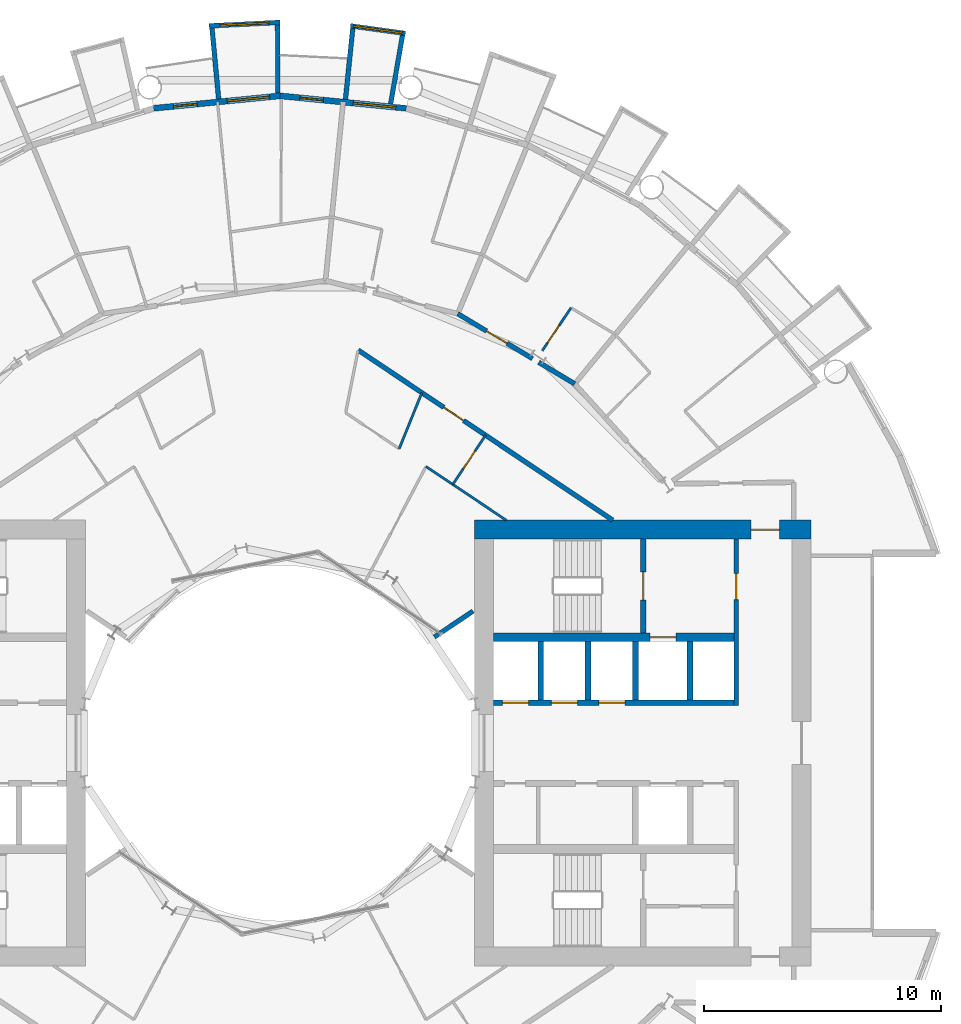
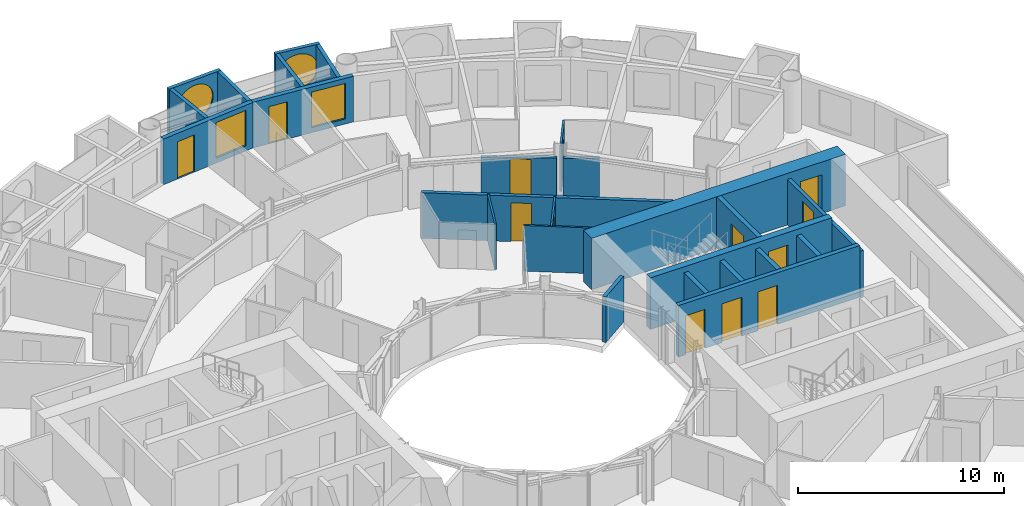
# One storey, part 20 of 26: 25 walls, 13 doors, 4 windows, 17 openings.
"""IFC4 building model written with IfcOpenShell, lengths in metres."""

import ifcopenshell
import ifcopenshell.guid

model = None  # the IFC model being written
_history = None  # IfcOwnerHistory: only IFC2X3 demands one
_inside = {}  # id of a spatial element -> (the spatial element, [elements in it])
_under = {}  # id of a project, library or spatial element -> (it, [spatial elements below it])
_declared = {}  # id of a project -> (the project, [libraries it declares])
_typed = {}  # id of a type object -> (the type object, [elements of that type])
_made_of = {}  # id of a material, layer set ... -> (it, [elements and type objects made of it])


def new_model(schema):
    """Start an empty IFC model of exactly this schema.

    Asked for "IFC4X3", IfcOpenShell would pick the latest addendum, in which some entities
    have other attributes; the version numbers below select the first issue.
    IFC2X3 requires an IfcOwnerHistory on every rooted entity: one is made here for all.
    """
    global model, _history
    if schema == "IFC4X3":
        model = ifcopenshell.file(schema_version=(4, 3, 0, 0))
    else:
        model = ifcopenshell.file(schema=schema)
    _inside.clear()
    _under.clear()
    _declared.clear()
    _typed.clear()
    _made_of.clear()
    _history = None
    if model.schema == "IFC2X3":
        org = make("IfcOrganization", Name="unknown")
        user = make(
            "IfcPersonAndOrganization",
            ThePerson=make("IfcPerson", FamilyName="unknown"),
            TheOrganization=org,
        )
        app = make(
            "IfcApplication",
            ApplicationDeveloper=org,
            Version="unknown",
            ApplicationFullName="unknown",
            ApplicationIdentifier="unknown",
        )
        _history = make(
            "IfcOwnerHistory",
            OwningUser=user,
            OwningApplication=app,
            ChangeAction="ADDED",
            CreationDate=0,
        )
    return model


def make(cls, **values):
    """One entity of the class cls with the attributes given. An attribute that is None is left unset."""
    return model.create_entity(
        cls, **{name: value for name, value in values.items() if value is not None}
    )


def rooted(cls, **values):
    """An entity with a GlobalId (a new one), such as an element, a storey or a relation."""
    return make(cls, GlobalId=ifcopenshell.guid.new(), OwnerHistory=_history, **values)


def si_unit(unit_type, name, prefix=None):
    """IfcSIUnit, for example si_unit("LENGTHUNIT", "METRE", prefix="MILLI")."""
    return make("IfcSIUnit", UnitType=unit_type, Prefix=prefix, Name=name)


def assignment(units):
    """IfcUnitAssignment: the units of a project."""
    return None if units is None else make("IfcUnitAssignment", Units=units)


def point(xyz):
    """IfcCartesianPoint."""
    return None if xyz is None else make("IfcCartesianPoint", Coordinates=xyz)


def direction(xyz):
    """IfcDirection."""
    return None if xyz is None else make("IfcDirection", DirectionRatios=xyz)


def frame(location, z_axis=None, x_axis=None):
    """IfcAxis2Placement3D, a coordinate frame: its origin and axes. An axis left out is left unset."""
    return make(
        "IfcAxis2Placement3D",
        Location=point(location),
        Axis=direction(z_axis),
        RefDirection=direction(x_axis),
    )


def frame_2d(location, x_axis=None):
    """IfcAxis2Placement2D, a coordinate frame in the plane: its origin and x axis."""
    return make(
        "IfcAxis2Placement2D", Location=point(location), RefDirection=direction(x_axis)
    )


def origin():
    """The frame at (0, 0, 0) with its axes left unset."""
    return frame((0.0, 0.0, 0.0))


def place(relative_to, where):
    """IfcLocalPlacement: puts the frame where relative to a parent placement (None: the world)."""
    return make(
        "IfcLocalPlacement", PlacementRelTo=relative_to, RelativePlacement=where
    )


def context(
    kind, dimensions, precision=None, world=None, true_north=None, identifier=None
):
    """IfcGeometricRepresentationContext, for example the 3D "Model" context."""
    return make(
        "IfcGeometricRepresentationContext",
        ContextIdentifier=identifier,
        ContextType=kind,
        CoordinateSpaceDimension=dimensions,
        Precision=precision,
        WorldCoordinateSystem=world,
        TrueNorth=true_north,
    )


def subcontext(parent, identifier, kind, view, scale=None):
    """IfcGeometricRepresentationSubContext, for example "Body" below "Model"."""
    return make(
        "IfcGeometricRepresentationSubContext",
        ContextIdentifier=identifier,
        ContextType=kind,
        ParentContext=parent,
        TargetScale=scale,
        TargetView=view,
    )


def project(units=None, contexts=None):
    """IfcProject with its units and contexts."""
    return rooted(
        "IfcProject",
        Name="project",
        RepresentationContexts=contexts,
        UnitsInContext=assignment(units),
    )


def spatial(cls, under=None, at=None, **own):
    """A site, building, storey or space (cls), placed at a placement, below another one or the project."""
    s = rooted(cls, ObjectPlacement=at, **own)
    if under is not None:
        _under.setdefault(under.id(), (under, []))[1].append(s)
    return s


def profile(cls, at=None, kind="AREA", **sizes):
    """A parametric profile (cls). Its sizes go by their IFC names, for example OverallWidth=200.0."""
    return make(cls, ProfileType=kind, Position=at, **sizes)


def rectangle(**sizes):
    """IfcRectangleProfileDef."""
    return profile("IfcRectangleProfileDef", **sizes)


def circle(**sizes):
    """IfcCircleProfileDef."""
    return profile("IfcCircleProfileDef", **sizes)


def extrude(swept, where, along, depth):
    """IfcExtrudedAreaSolid: the profile swept, set in the frame where, extruded along a direction by depth."""
    return make(
        "IfcExtrudedAreaSolid",
        SweptArea=swept,
        Position=where,
        ExtrudedDirection=direction(along),
        Depth=depth,
    )


def shape(context_of_items, identifier, shape_type, items):
    """IfcShapeRepresentation: the items that make up one representation, for example the "Body"."""
    return make(
        "IfcShapeRepresentation",
        ContextOfItems=context_of_items,
        RepresentationIdentifier=identifier,
        RepresentationType=shape_type,
        Items=items,
    )


def material(Name=None, Category=None):
    """IfcMaterial."""
    return make("IfcMaterial", Name=Name, Category=Category)


def layer(
    of_material, thickness, ventilated=None, Name=None, Category=None, Priority=None
):
    """IfcMaterialLayer: one layer of a wall or slab, of a material (None: an air gap)."""
    return make(
        "IfcMaterialLayer",
        Material=of_material,
        LayerThickness=thickness,
        IsVentilated=ventilated,
        Name=Name,
        Category=Category,
        Priority=Priority,
    )


def layer_set(layers, Name=None):
    """IfcMaterialLayerSet."""
    return make("IfcMaterialLayerSet", MaterialLayers=layers, LayerSetName=Name)


def made_of(thing, what):
    """Note that an element or type object is made of a material, layer set ...; save() writes the relation."""
    if what is not None:
        _made_of.setdefault(what.id(), (what, []))[1].append(thing)
    return thing


def type_object(cls, material=None, **own):
    """A type object (cls), such as IfcWallType, which elements share."""
    return made_of(rooted(cls, **own), material)


def element(
    cls,
    number,
    at=None,
    inside=None,
    cuts=None,
    type_object=None,
    material=None,
    context=None,
    identifier="Body",
    shape_type=None,
    held_by="IfcProductDefinitionShape",
    body=None,
    shapes=None,
    **own,
):
    """One element of the class cls, such as IfcWall. Its Tag is "e" and its number.

    at: its placement. inside: the storey or other place that contains it. cuts: it is an
    opening in that element (IfcRelVoidsElement). A single representation is given by context,
    identifier, shape_type and body (its items); several are given by shapes. held_by: the class
    of the entity that holds the representations. save() writes the other relations.
    """
    e = rooted(cls, Tag="e%d" % number, ObjectPlacement=at, **own)
    if body is not None:
        shapes = [shape(context, identifier, shape_type, body)]
    if shapes is not None:
        e.Representation = make(held_by, Representations=shapes)
    if inside is not None:
        _inside.setdefault(inside.id(), (inside, []))[1].append(e)
    if cuts is not None:
        rooted(
            "IfcRelVoidsElement", RelatingBuildingElement=cuts, RelatedOpeningElement=e
        )
    if type_object is not None:
        _typed.setdefault(type_object.id(), (type_object, []))[1].append(e)
    return made_of(e, material)


def fill(opening, filler):
    """IfcRelFillsElement: the door or window that sits in an opening."""
    return rooted(
        "IfcRelFillsElement",
        RelatingOpeningElement=opening,
        RelatedBuildingElement=filler,
    )


def aggregate(whole, parts):
    """IfcRelAggregates: a whole, such as a stair, and the parts it consists of."""
    return rooted("IfcRelAggregates", RelatingObject=whole, RelatedObjects=parts)


def save(model, path):
    """Write the relations noted so far, then the file.

    IfcRelAggregates (storeys below a building ...), IfcRelContainedInSpatialStructure (elements
    in a storey), IfcRelDefinesByType, IfcRelAssociatesMaterial and IfcRelDeclares: one each for
    every whole, place, type object, material and project.
    """
    for whole, parts in _under.values():
        aggregate(whole, parts)
    for where, things in _inside.values():
        rooted(
            "IfcRelContainedInSpatialStructure",
            RelatedElements=things,
            RelatingStructure=where,
        )
    for kind, things in _typed.values():
        rooted("IfcRelDefinesByType", RelatedObjects=things, RelatingType=kind)
    for what, things in _made_of.values():
        rooted("IfcRelAssociatesMaterial", RelatedObjects=things, RelatingMaterial=what)
    for by, libraries in _declared.values():
        rooted("IfcRelDeclares", RelatingContext=by, RelatedDefinitions=libraries)
    model.write(path)


model = new_model("IFC4")

# Units and contexts
model_context = context("Model", 3, precision=1e-05, world=origin(), true_north=direction((0.0, 1.0)))
body_context = subcontext(model_context, "Body", "Model", "MODEL_VIEW")
ifc_project = project(units=[si_unit("LENGTHUNIT", "METRE"), si_unit("AREAUNIT", "SQUARE_METRE"), si_unit("VOLUMEUNIT", "CUBIC_METRE"), si_unit("PLANEANGLEUNIT", "RADIAN"), si_unit("MASSUNIT", "GRAM", prefix="KILO")], contexts=[model_context])

# Site, building, storey
site_placement = place(None, origin())
site = spatial("IfcSite", under=ifc_project, at=site_placement, CompositionType="ELEMENT")
building_placement = place(site_placement, origin())
building = spatial("IfcBuilding", under=site, at=building_placement, Name="Maasbend Ring Residences", CompositionType="ELEMENT")
storey_placement = place(building_placement, frame((0.0, 0.0, 28.89990234375)))
storey = spatial("IfcBuildingStorey", under=building, at=storey_placement, Name="L07", CompositionType="ELEMENT", Elevation=28.89990234375)

# Wall, openings, doors
ifc_material_1 = material(Name="Concrete C70/85", Category="concrete")
ifc_layer_1 = layer(ifc_material_1, 0.25)
ifc_layer_set_1 = layer_set([ifc_layer_1], Name="Concrete C70/85")
wall_type_1 = type_object("IfcWallType", Name="CORE WALL 250 C70/85", PredefinedType="SHEAR", material=ifc_layer_set_1)
wall_1_placement = place(storey_placement, frame((9.0, 1.699951171875, 0.0), z_axis=(0.0, 0.0, 1.0), x_axis=(1.0, 0.0, 0.0)))
wall_1 = element("IfcWall", 1, at=wall_1_placement, inside=storey, type_object=wall_type_1, Name="L07 core E wall SPN", PredefinedType="SHEAR", context=body_context, shape_type="SweptSolid", body=[
    extrude(rectangle(XDim=10.14990234375, YDim=0.25, at=frame_2d((5.074951171875, 0.0))), origin(), (0.0, 0.0, 1.0), 3.050048828125),
])
opening_1_placement = place(wall_1_placement, frame((0.387451171875, 0.0, 0.0)))
opening_1 = element("IfcOpeningElement", 2, at=opening_1_placement, cuts=wall_1, Name="Opening LD-E0701", PredefinedType="OPENING", context=body_context, shape_type="SweptSolid", body=[
    extrude(rectangle(XDim=1.10009765625, YDim=2.300048828125, at=frame_2d((0.550048828125, 1.14990234375))), frame((0.0, 0.135009765625, 0.0), z_axis=(0.0, -1.0, 0.0), x_axis=(1.0, 0.0, 0.0)), (0.0, 0.0, 1.0), 0.27001953125),
])
opening_2_placement = place(wall_1_placement, frame((2.449951171875, 0.0, 0.0)))
opening_2 = element("IfcOpeningElement", 3, at=opening_2_placement, cuts=wall_1, Name="Opening LD-E0702", PredefinedType="OPENING", context=body_context, shape_type="SweptSolid", body=[
    extrude(rectangle(XDim=1.10009765625, YDim=2.300048828125, at=frame_2d((0.550048828125, 1.14990234375))), frame((0.0, 0.135009765625, 0.0), z_axis=(0.0, -1.0, 0.0), x_axis=(1.0, 0.0, 0.0)), (0.0, 0.0, 1.0), 0.27001953125),
])
opening_3_placement = place(wall_1_placement, frame((4.449951171875, 0.0, 0.0)))
opening_3 = element("IfcOpeningElement", 4, at=opening_3_placement, cuts=wall_1, Name="Opening LD-E0703", PredefinedType="OPENING", context=body_context, shape_type="SweptSolid", body=[
    extrude(rectangle(XDim=1.10009765625, YDim=2.300048828125, at=frame_2d((0.550048828125, 1.14990234375))), frame((0.0, 0.135009765625, 0.0), z_axis=(0.0, -1.0, 0.0), x_axis=(1.0, 0.0, 0.0)), (0.0, 0.0, 1.0), 0.27001953125),
])
ifc_material_2 = material(Name="Stainless steel 316", Category="steel")
door_type_1 = type_object("IfcDoorType", Name="LANDING DOOR 1100 X 2300 FD60", OperationType="DOUBLE_DOOR_SLIDING", PredefinedType="DOOR", material=ifc_material_2)
door_1_placement = place(opening_1_placement, origin())
door_1 = element("IfcDoor", 5, at=door_1_placement, inside=storey, type_object=door_type_1, Name="Landing door LR-E1 L07", OperationType="DOUBLE_DOOR_SLIDING", OverallHeight=2.300048828125, OverallWidth=1.10009765625, PredefinedType="DOOR", context=body_context, shape_type="SweptSolid", body=[
    extrude(rectangle(XDim=1.10009765625, YDim=2.300048828125, at=frame_2d((0.550048828125, 1.14990234375))), frame((0.0, 0.02490234375, 0.0), z_axis=(0.0, -1.0, 0.0), x_axis=(1.0, 0.0, 0.0)), (0.0, 0.0, 1.0), 0.050048828125),
])
fill(opening_1, door_1)
door_2_placement = place(opening_2_placement, origin())
door_2 = element("IfcDoor", 6, at=door_2_placement, inside=storey, type_object=door_type_1, Name="Landing door LR-E2 L07", OperationType="DOUBLE_DOOR_SLIDING", OverallHeight=2.300048828125, OverallWidth=1.10009765625, PredefinedType="DOOR", context=body_context, shape_type="SweptSolid", body=[
    extrude(rectangle(XDim=1.10009765625, YDim=2.300048828125, at=frame_2d((0.550048828125, 1.14990234375))), frame((0.0, 0.02490234375, 0.0), z_axis=(0.0, -1.0, 0.0), x_axis=(1.0, 0.0, 0.0)), (0.0, 0.0, 1.0), 0.050048828125),
])
fill(opening_2, door_2)
door_3_placement = place(opening_3_placement, origin())
door_3 = element("IfcDoor", 7, at=door_3_placement, inside=storey, type_object=door_type_1, Name="Landing door LR-E3 L07", OperationType="DOUBLE_DOOR_SLIDING", OverallHeight=2.300048828125, OverallWidth=1.10009765625, PredefinedType="DOOR", context=body_context, shape_type="SweptSolid", body=[
    extrude(rectangle(XDim=1.10009765625, YDim=2.300048828125, at=frame_2d((0.550048828125, 1.14990234375))), frame((0.0, 0.02490234375, 0.0), z_axis=(0.0, -1.0, 0.0), x_axis=(1.0, 0.0, 0.0)), (0.0, 0.0, 1.0), 0.050048828125),
])
fill(opening_3, door_3)

# Wall, opening, door
wall_2_placement = place(storey_placement, frame((15.324951171875, 4.64990234375, 0.0), z_axis=(0.0, 0.0, 1.0), x_axis=(0.0, 1.0, 0.0)))
wall_2 = element("IfcWall", 8, at=wall_2_placement, inside=storey, type_object=wall_type_1, Name="L07 core E wall STEN", PredefinedType="SHEAR", context=body_context, shape_type="SweptSolid", body=[
    extrude(rectangle(XDim=3.9501953125, YDim=0.25, at=frame_2d((1.97509765625, 0.0))), origin(), (0.0, 0.0, 1.0), 3.050048828125),
])
opening_4_placement = place(wall_2_placement, frame((1.375, 0.0, 0.0)))
opening_4 = element("IfcOpeningElement", 9, at=opening_4_placement, cuts=wall_2, Name="Opening D-E0710", PredefinedType="OPENING", context=body_context, shape_type="SweptSolid", body=[
    extrude(rectangle(XDim=1.199951171875, YDim=2.300048828125, at=frame_2d((0.60009765625, 1.14990234375))), frame((0.0, 0.135009765625, 0.0), z_axis=(0.0, -1.0, 0.0), x_axis=(1.0, 0.0, 0.0)), (0.0, 0.0, 1.0), 0.27001953125),
])
ifc_material_3 = material(Name="Steel, powder coated", Category="steel")
door_type_2 = type_object("IfcDoorType", Name="STAIR DOOR 1200 X 2300 FD60", OperationType="NOTDEFINED", PredefinedType="DOOR", material=ifc_material_3)
door_4_placement = place(opening_4_placement, origin())
door_4 = element("IfcDoor", 10, at=door_4_placement, inside=storey, type_object=door_type_2, Name="Stair door ST-E L07", OperationType="SINGLE_SWING_LEFT", OverallHeight=2.300048828125, OverallWidth=1.199951171875, PredefinedType="DOOR", context=body_context, shape_type="SweptSolid", body=[
    extrude(rectangle(XDim=1.199951171875, YDim=2.300048828125, at=frame_2d((0.60009765625, 1.14990234375))), frame((0.0, 0.02490234375, 0.0), z_axis=(0.0, -1.0, 0.0), x_axis=(1.0, 0.0, 0.0)), (0.0, 0.0, 1.0), 0.050048828125),
])
fill(opening_4, door_4)

ifc_material_4 = material(Name="Concrete C70/85", Category="concrete")
ifc_layer_2 = layer(ifc_material_4, 0.375)
ifc_layer_set_2 = layer_set([ifc_layer_2], Name="Concrete C70/85")
wall_type_2 = type_object("IfcWallType", Name="CORE WALL 375 C70/85", PredefinedType="SHEAR", material=ifc_layer_set_2)
wall_3_placement = place(storey_placement, frame((9.0, 4.46240234375, 0.0), z_axis=(0.0, 0.0, 1.0), x_axis=(1.0, 0.0, 0.0)))
wall_3 = element("IfcWall", 11, at=wall_3_placement, inside=storey, type_object=wall_type_2, Name="L07 core E wall BN", PredefinedType="SHEAR", context=body_context, shape_type="SweptSolid", body=[
    extrude(rectangle(XDim=10.14990234375, YDim=0.375, at=frame_2d((5.074951171875, 0.0))), origin(), (0.0, 0.0, 1.0), 3.050048828125),
])
opening_5_placement = place(wall_3_placement, frame((6.60009765625, 0.0, 0.0)))
opening_5 = element("IfcOpeningElement", 12, at=opening_5_placement, cuts=wall_3, Name="Opening LD-E0704", PredefinedType="OPENING", context=body_context, shape_type="SweptSolid", body=[
    extrude(rectangle(XDim=1.10009765625, YDim=2.300048828125, at=frame_2d((0.550048828125, 1.14990234375))), frame((0.0, 0.197509765625, 0.0), z_axis=(0.0, -1.0, 0.0), x_axis=(1.0, 0.0, 0.0)), (0.0, 0.0, 1.0), 0.39501953125),
])
door_5_placement = place(opening_5_placement, origin())
door_5 = element("IfcDoor", 13, at=door_5_placement, inside=storey, type_object=door_type_1, Name="Landing door FF-E L07", OperationType="DOUBLE_DOOR_SLIDING", OverallHeight=2.300048828125, OverallWidth=1.10009765625, PredefinedType="DOOR", context=body_context, shape_type="SweptSolid", body=[
    extrude(rectangle(XDim=1.10009765625, YDim=2.300048828125, at=frame_2d((0.550048828125, 1.14990234375))), frame((0.0, 0.02490234375, 0.0), z_axis=(0.0, -1.0, 0.0), x_axis=(1.0, 0.0, 0.0)), (0.0, 0.0, 1.0), 0.050048828125),
])
fill(opening_5, door_5)

ifc_material_5 = material(Name="Concrete C70/85", Category="concrete")
ifc_layer_3 = layer(ifc_material_5, 0.800048828125)
ifc_layer_set_3 = layer_set([ifc_layer_3], Name="Concrete C70/85")
wall_type_3 = type_object("IfcWallType", Name="CORE WALL 800 C70/85", PredefinedType="SHEAR", material=ifc_layer_set_3)
wall_4_placement = place(storey_placement, frame((22.39990234375, 9.0, 0.0), z_axis=(0.0, 0.0, 1.0), x_axis=(-1.0, 0.0, 0.0)))
wall_4 = element("IfcWall", 14, at=wall_4_placement, inside=storey, type_object=wall_type_3, Name="L07 core E wall PN", PredefinedType="SHEAR", context=body_context, shape_type="SweptSolid", body=[
    extrude(rectangle(XDim=14.199951171875, YDim=0.800048828125, at=frame_2d((7.10009765625, 0.0))), origin(), (0.0, 0.0, 1.0), 3.050048828125),
])
opening_6_placement = place(wall_4_placement, frame((1.324951171875, 0.0, 0.0)))
opening_6 = element("IfcOpeningElement", 15, at=opening_6_placement, cuts=wall_4, Name="Opening D-E0714", PredefinedType="OPENING", context=body_context, shape_type="SweptSolid", body=[
    extrude(rectangle(XDim=1.199951171875, YDim=2.300048828125, at=frame_2d((0.60009765625, 1.14990234375))), frame((0.0, 0.41015625, 0.0), z_axis=(0.0, -1.0, 0.0), x_axis=(1.0, 0.0, 0.0)), (0.0, 0.0, 1.0), 0.820068359375),
])
ifc_material_6 = material(Name="Steel, powder coated", Category="steel")
door_type_3 = type_object("IfcDoorType", Name="CORRIDOR DOOR 1200 X 2300 FD30S", OperationType="NOTDEFINED", PredefinedType="DOOR", material=ifc_material_6)
door_6_placement = place(opening_6_placement, origin())
door_6 = element("IfcDoor", 16, at=door_6_placement, inside=storey, type_object=door_type_3, Name="Corridor door L07", OperationType="SINGLE_SWING_RIGHT", OverallHeight=2.300048828125, OverallWidth=1.199951171875, PredefinedType="DOOR", context=body_context, shape_type="SweptSolid", body=[
    extrude(rectangle(XDim=1.199951171875, YDim=2.300048828125, at=frame_2d((0.60009765625, 1.14990234375))), frame((0.0, 0.02490234375, 0.0), z_axis=(0.0, -1.0, 0.0), x_axis=(1.0, 0.0, 0.0)), (0.0, 0.0, 1.0), 0.050048828125),
])
fill(opening_6, door_6)

ifc_material_7 = material(Name="Concrete C30/37", Category="concrete")
ifc_layer_4 = layer(ifc_material_7, 0.199951171875)
ifc_layer_set_4 = layer_set([ifc_layer_4], Name="Concrete C30/37")
wall_type_4 = type_object("IfcWallType", Name="CORRIDOR WALL 200 CONCRETE", PredefinedType="PARTITIONING", material=ifc_layer_set_4)
wall_5_placement = place(storey_placement, frame((3.299072265625, 16.573974609375, 0.0), z_axis=(0.0, 0.0, 1.0), x_axis=(0.831465254975, -0.555576754166, 0.0)))
wall_5 = element("IfcWall", 17, at=wall_5_placement, inside=storey, type_object=wall_type_4, Name="U-L07-w085", PredefinedType="PARTITIONING", context=body_context, shape_type="SweptSolid", body=[
    extrude(rectangle(XDim=12.91455078125, YDim=0.199951171875, at=frame_2d((6.457275390625, 0.0))), origin(), (0.0, 0.0, 1.0), 2.7001953125),
])
opening_7_placement = place(wall_5_placement, frame((4.345947265625, 0.0, 0.0)))
opening_7 = element("IfcOpeningElement", 18, at=opening_7_placement, cuts=wall_5, Name="Opening D-0721", PredefinedType="OPENING", context=body_context, shape_type="SweptSolid", body=[
    extrude(rectangle(XDim=1.0, YDim=2.300048828125, at=frame_2d((0.5, 1.14990234375))), frame((0.0, 0.10986328125, 0.0), z_axis=(0.0, -1.0, 0.0), x_axis=(1.0, 0.0, 0.0)), (0.0, 0.0, 1.0), 0.219970703125),
])
ifc_material_8 = material(Name="Timber, fire-rated, painted", Category="wood")
door_type_4 = type_object("IfcDoorType", Name="FLAT ENTRANCE DOOR 1000 X 2300 FIRE-RATED", OperationType="NOTDEFINED", PredefinedType="DOOR", material=ifc_material_8)
door_7_placement = place(opening_7_placement, origin())
door_7 = element("IfcDoor", 19, at=door_7_placement, inside=storey, type_object=door_type_4, Name="D-0721", OperationType="SINGLE_SWING_LEFT", OverallHeight=2.300048828125, OverallWidth=1.0, PredefinedType="DOOR", context=body_context, shape_type="SweptSolid", body=[
    extrude(rectangle(XDim=1.0, YDim=2.300048828125, at=frame_2d((0.5, 1.14990234375))), frame((0.0, 0.02490234375, 0.0), z_axis=(0.0, -1.0, 0.0), x_axis=(1.0, 0.0, 0.0)), (0.0, 0.0, 1.0), 0.050048828125),
])
fill(opening_7, door_7)

wall_6_placement = place(storey_placement, frame((7.5009765625, 18.10791015625, 0.0), z_axis=(0.0, 0.0, 1.0), x_axis=(0.857656999296, -0.514222200569, 0.0)))
wall_6 = element("IfcWall", 20, at=wall_6_placement, inside=storey, type_object=wall_type_4, Name="U-L07-w092", PredefinedType="PARTITIONING", context=body_context, shape_type="SweptSolid", body=[
    extrude(rectangle(XDim=3.67529296875, YDim=0.199951171875, at=frame_2d((1.837646484375, 0.0))), origin(), (0.0, 0.0, 1.0), 2.380126953125),
])
opening_8_placement = place(wall_6_placement, frame((1.41796875, 0.0, 0.0)))
opening_8 = element("IfcOpeningElement", 21, at=opening_8_placement, cuts=wall_6, Name="Opening D-0704", PredefinedType="OPENING", context=body_context, shape_type="SweptSolid", body=[
    extrude(rectangle(XDim=1.0, YDim=2.300048828125, at=frame_2d((0.5, 1.14990234375))), frame((0.0, 0.10986328125, 0.0), z_axis=(0.0, -1.0, 0.0), x_axis=(1.0, 0.0, 0.0)), (0.0, 0.0, 1.0), 0.219970703125),
])
door_8_placement = place(opening_8_placement, origin())
door_8 = element("IfcDoor", 22, at=door_8_placement, inside=storey, type_object=door_type_4, Name="D-0704", OperationType="SINGLE_SWING_RIGHT", OverallHeight=2.300048828125, OverallWidth=1.0, PredefinedType="DOOR", context=body_context, shape_type="SweptSolid", body=[
    extrude(rectangle(XDim=1.0, YDim=2.300048828125, at=frame_2d((0.5, 1.14990234375))), frame((0.0, 0.02490234375, 0.0), z_axis=(0.0, -1.0, 0.0), x_axis=(1.0, 0.0, 0.0)), (0.0, 0.0, 1.0), 0.050048828125),
])
fill(opening_8, door_8)

# Wall
wall_7_placement = place(storey_placement, frame((10.9150390625, 16.06103515625, 0.0), z_axis=(0.0, 0.0, 1.0), x_axis=(0.857809047014, -0.513968519329, 0.0)))
element("IfcWall", 23, at=wall_7_placement, inside=storey, type_object=wall_type_4, Name="U-L07-w093", PredefinedType="PARTITIONING", context=body_context, shape_type="SweptSolid", body=[
    extrude(rectangle(XDim=1.770751953125, YDim=0.199951171875, at=frame_2d((0.88525390625, 0.0))), origin(), (0.0, 0.0, 1.0), 2.380126953125),
])

# Wall, opening, window
ifc_material_9 = material(Name="Pale anodised aluminium panel", Category="aluminium")
ifc_layer_5 = layer(ifc_material_9, 0.199951171875)
ifc_layer_set_5 = layer_set([ifc_layer_5], Name="EW-BOX")
wall_type_5 = type_object("IfcWallType", Name="EW-BOX", PredefinedType="SOLIDWALL", material=ifc_layer_set_5)
wall_8_placement = place(storey_placement, frame((5.2900390625, 29.93603515625, -0.02978515625), z_axis=(0.0, 0.0, 1.0), x_axis=(-0.990696111261, 0.136092671119, 0.0)))
wall_8 = element("IfcWall", 24, at=wall_8_placement, inside=storey, type_object=wall_type_5, Name="Box front N09", PredefinedType="SOLIDWALL", context=body_context, shape_type="SweptSolid", body=[
    extrude(rectangle(XDim=2.335693359375, YDim=0.199951171875, at=frame_2d((1.16796875, 0.0))), origin(), (0.0, 0.0, 1.0), 2.72998046875),
])
opening_9_placement = place(wall_8_placement, frame((0.128173828125, 0.0, 0.330078125)))
opening_9 = element("IfcOpeningElement", 25, at=opening_9_placement, cuts=wall_8, Name="Opening W-RD", PredefinedType="OPENING", context=body_context, shape_type="SweptSolid", body=[
    extrude(circle(Radius=1.0400390625, at=frame_2d((1.0400390625, 1.0400390625))), frame((0.0, 0.10986328125, 0.0), z_axis=(0.0, -1.0, 0.0), x_axis=(1.0, 0.0, 0.0)), (0.0, 0.0, 1.0), 0.219970703125),
])
ifc_material_10 = material(Name="Aluminium and clear glass", Category="aluminium")
window_type_1 = type_object("IfcWindowType", Name="W-RD", PartitioningType="SINGLE_PANEL", PredefinedType="WINDOW", material=ifc_material_10)
window_1_placement = place(opening_9_placement, origin())
window_1 = element("IfcWindow", 26, at=window_1_placement, inside=storey, type_object=window_type_1, Name="Round window N09", OverallHeight=2.080078125, OverallWidth=2.080078125, PartitioningType="SINGLE_PANEL", PredefinedType="WINDOW", context=body_context, shape_type="SweptSolid", body=[
    extrude(circle(Radius=1.0400390625, at=frame_2d((1.0400390625, 1.0400390625))), frame((0.0, 0.030029296875, 0.0), z_axis=(0.0, -1.0, 0.0), x_axis=(1.0, 0.0, 0.0)), (0.0, 0.0, 1.0), 0.06005859375),
])
fill(opening_9, window_1)

# Walls
wall_9_placement = place(storey_placement, frame((4.6708984375, 26.966064453125, -0.02978515625), z_axis=(0.0, 0.0, 1.0), x_axis=(0.170539878907, 0.985350774954, 0.0)))
element("IfcWall", 27, at=wall_9_placement, inside=storey, type_object=wall_type_5, Name="Box side wall N09 left", PredefinedType="SOLIDWALL", context=body_context, shape_type="SweptSolid", body=[
    extrude(rectangle(XDim=2.931884765625, YDim=0.199951171875, at=frame_2d((1.4658203125, 0.0))), origin(), (0.0, 0.0, 1.0), 2.72998046875),
])
wall_10_placement = place(storey_placement, frame((2.763916015625, 27.153076171875, -0.02978515625), z_axis=(0.0, 0.0, 1.0), x_axis=(0.101505487237, 0.994834979311, 0.0)))
element("IfcWall", 28, at=wall_10_placement, inside=storey, type_object=wall_type_5, Name="Box side wall N09 right", PredefinedType="SOLIDWALL", context=body_context, shape_type="SweptSolid", body=[
    extrude(rectangle(XDim=3.006591796875, YDim=0.199951171875, at=frame_2d((1.50341796875, 0.0))), origin(), (0.0, 0.0, 1.0), 2.72998046875),
])

# Wall, opening, window
wall_11_placement = place(storey_placement, frame((0.0048828125, 30.39990234375, -0.02978515625), z_axis=(0.0, 0.0, 1.0), x_axis=(-0.998794083011, -0.049095618353, 0.0)))
wall_11 = element("IfcWall", 29, at=wall_11_placement, inside=storey, type_object=wall_type_5, Name="Box front N11", PredefinedType="SOLIDWALL", context=body_context, shape_type="SweptSolid", body=[
    extrude(rectangle(XDim=2.99365234375, YDim=0.199951171875, at=frame_2d((1.496826171875, 0.0))), origin(), (0.0, 0.0, 1.0), 2.72998046875),
])
opening_10_placement = place(wall_11_placement, frame((0.45654296875, 0.0, 0.330078125)))
opening_10 = element("IfcOpeningElement", 30, at=opening_10_placement, cuts=wall_11, Name="Opening W-RD", PredefinedType="OPENING", context=body_context, shape_type="SweptSolid", body=[
    extrude(circle(Radius=1.0400390625, at=frame_2d((1.0400390625, 1.0400390625))), frame((0.0, 0.10986328125, 0.0), z_axis=(0.0, -1.0, 0.0), x_axis=(1.0, 0.0, 0.0)), (0.0, 0.0, 1.0), 0.219970703125),
])
window_2_placement = place(opening_10_placement, origin())
window_2 = element("IfcWindow", 31, at=window_2_placement, inside=storey, type_object=window_type_1, Name="Round window N11", OverallHeight=2.080078125, OverallWidth=2.080078125, PartitioningType="SINGLE_PANEL", PredefinedType="WINDOW", context=body_context, shape_type="SweptSolid", body=[
    extrude(circle(Radius=1.0400390625, at=frame_2d((1.0400390625, 1.0400390625))), frame((0.0, 0.030029296875, 0.0), z_axis=(0.0, -1.0, 0.0), x_axis=(1.0, 0.0, 0.0)), (0.0, 0.0, 1.0), 0.06005859375),
])
fill(opening_10, window_2)

# Walls
wall_12_placement = place(storey_placement, frame((-0.090087890625, 27.4169921875, -0.02978515625), z_axis=(0.0, 0.0, 1.0), x_axis=(-0.00347308367, 0.999993968827, 0.0)))
element("IfcWall", 32, at=wall_12_placement, inside=storey, type_object=wall_type_5, Name="Box side wall N11 left", PredefinedType="SOLIDWALL", context=body_context, shape_type="SweptSolid", body=[
    extrude(rectangle(XDim=2.882080078125, YDim=0.199951171875, at=frame_2d((1.44091796875, 0.0))), origin(), (0.0, 0.0, 1.0), 2.72998046875),
])
wall_13_placement = place(storey_placement, frame((-2.5859375, 27.1708984375, -0.02978515625), z_axis=(0.0, 0.0, 1.0), x_axis=(-0.094548432284, 0.995520262954, 0.0)))
element("IfcWall", 33, at=wall_13_placement, inside=storey, type_object=wall_type_5, Name="Box side wall N11 right", PredefinedType="SOLIDWALL", context=body_context, shape_type="SweptSolid", body=[
    extrude(rectangle(XDim=3.005615234375, YDim=0.199951171875, at=frame_2d((1.5029296875, 0.0))), origin(), (0.0, 0.0, 1.0), 2.72998046875),
])

# Wall, openings, door, window
ifc_material_11 = material(Name="Aluminium clad insulated panel", Category="aluminium")
ifc_layer_6 = layer(ifc_material_11, 0.25)
ifc_layer_set_6 = layer_set([ifc_layer_6], Name="EW-GL")
wall_type_6 = type_object("IfcWallType", Name="EW-GL", PredefinedType="SOLIDWALL", material=ifc_layer_set_6)
wall_14_placement = place(storey_placement, frame((5.325927734375, 26.77490234375, 0.0), z_axis=(0.0, 0.0, 1.0), x_axis=(-0.995173996315, 0.098126026407, 0.0)))
wall_14 = element("IfcWall", 34, at=wall_14_placement, inside=storey, type_object=wall_type_6, Name="External wall N05", PredefinedType="SOLIDWALL", context=body_context, shape_type="SweptSolid", body=[
    extrude(rectangle(XDim=5.351806640625, YDim=0.25, at=frame_2d((2.67578125, 0.0))), origin(), (0.0, 0.0, 1.0), 2.7001953125),
])
opening_11_placement = place(wall_14_placement, frame((0.441162109375, 0.0, 0.300048828125)))
opening_11 = element("IfcOpeningElement", 35, at=opening_11_placement, cuts=wall_14, Name="Opening W-BX", PredefinedType="OPENING", context=body_context, shape_type="SweptSolid", body=[
    extrude(rectangle(XDim=1.800048828125, YDim=2.10009765625, at=frame_2d((0.89990234375, 1.050048828125))), frame((0.0, 0.135009765625, 0.0), z_axis=(0.0, -1.0, 0.0), x_axis=(1.0, 0.0, 0.0)), (0.0, 0.0, 1.0), 0.27001953125),
])
opening_12_placement = place(wall_14_placement, frame((3.510498046875, 0.0, 0.0)))
opening_12 = element("IfcOpeningElement", 36, at=opening_12_placement, cuts=wall_14, Name="Opening D-LG", PredefinedType="OPENING", context=body_context, shape_type="SweptSolid", body=[
    extrude(rectangle(XDim=1.0, YDim=2.199951171875, at=frame_2d((0.5, 1.10009765625))), frame((0.0, 0.135009765625, 0.0), z_axis=(0.0, -1.0, 0.0), x_axis=(1.0, 0.0, 0.0)), (0.0, 0.0, 1.0), 0.27001953125),
])
ifc_material_12 = material(Name="Aluminium and clear glass", Category="aluminium")
door_type_5 = type_object("IfcDoorType", Name="D-LG", OperationType="SINGLE_SWING_LEFT", PredefinedType="DOOR", material=ifc_material_12)
door_9_placement = place(opening_12_placement, origin())
door_9 = element("IfcDoor", 37, at=door_9_placement, inside=storey, type_object=door_type_5, Name="Loggia door N10", OperationType="SINGLE_SWING_LEFT", OverallHeight=2.199951171875, OverallWidth=1.0, PredefinedType="DOOR", context=body_context, shape_type="SweptSolid", body=[
    extrude(rectangle(XDim=1.0, YDim=2.199951171875, at=frame_2d((0.5, 1.10009765625))), frame((0.0, 0.02490234375, 0.0), z_axis=(0.0, -1.0, 0.0), x_axis=(1.0, 0.0, 0.0)), (0.0, 0.0, 1.0), 0.050048828125),
])
fill(opening_12, door_9)
ifc_material_13 = material(Name="Aluminium and clear glass", Category="aluminium")
window_type_2 = type_object("IfcWindowType", Name="W-BX", PartitioningType="DOUBLE_PANEL_VERTICAL", PredefinedType="WINDOW", material=ifc_material_13)
window_3_placement = place(opening_11_placement, origin())
window_3 = element("IfcWindow", 38, at=window_3_placement, inside=storey, type_object=window_type_2, Name="Window N09 room to box", OverallHeight=2.10009765625, OverallWidth=1.800048828125, PartitioningType="SINGLE_PANEL", PredefinedType="WINDOW", context=body_context, shape_type="SweptSolid", body=[
    extrude(rectangle(XDim=1.800048828125, YDim=2.10009765625, at=frame_2d((0.89990234375, 1.050048828125))), frame((0.0, 0.030029296875, 0.0), z_axis=(0.0, -1.0, 0.0), x_axis=(1.0, 0.0, 0.0)), (0.0, 0.0, 1.0), 0.06005859375),
])
fill(opening_11, window_3)

wall_15_placement = place(storey_placement, frame((0.0, 27.300048828125, 0.0), z_axis=(0.0, 0.0, 1.0), x_axis=(-0.995173996315, -0.098126026407, 0.0)))
wall_15 = element("IfcWall", 39, at=wall_15_placement, inside=storey, type_object=wall_type_6, Name="External wall N06", PredefinedType="SOLIDWALL", context=body_context, shape_type="SweptSolid", body=[
    extrude(rectangle(XDim=5.351806640625, YDim=0.25, at=frame_2d((2.67578125, 0.0))), origin(), (0.0, 0.0, 1.0), 2.7001953125),
])
opening_13_placement = place(wall_15_placement, frame((0.441162109375, 0.0, 0.300048828125)))
opening_13 = element("IfcOpeningElement", 40, at=opening_13_placement, cuts=wall_15, Name="Opening W-BX", PredefinedType="OPENING", context=body_context, shape_type="SweptSolid", body=[
    extrude(rectangle(XDim=1.800048828125, YDim=2.10009765625, at=frame_2d((0.89990234375, 1.050048828125))), frame((0.0, 0.135009765625, 0.0), z_axis=(0.0, -1.0, 0.0), x_axis=(1.0, 0.0, 0.0)), (0.0, 0.0, 1.0), 0.27001953125),
])
opening_14_placement = place(wall_15_placement, frame((3.510498046875, 0.0, 0.0)))
opening_14 = element("IfcOpeningElement", 41, at=opening_14_placement, cuts=wall_15, Name="Opening D-LG", PredefinedType="OPENING", context=body_context, shape_type="SweptSolid", body=[
    extrude(rectangle(XDim=1.0, YDim=2.199951171875, at=frame_2d((0.5, 1.10009765625))), frame((0.0, 0.135009765625, 0.0), z_axis=(0.0, -1.0, 0.0), x_axis=(1.0, 0.0, 0.0)), (0.0, 0.0, 1.0), 0.27001953125),
])
door_10_placement = place(opening_14_placement, origin())
door_10 = element("IfcDoor", 42, at=door_10_placement, inside=storey, type_object=door_type_5, Name="Loggia door N12", OperationType="SINGLE_SWING_LEFT", OverallHeight=2.199951171875, OverallWidth=1.0, PredefinedType="DOOR", context=body_context, shape_type="SweptSolid", body=[
    extrude(rectangle(XDim=1.0, YDim=2.199951171875, at=frame_2d((0.5, 1.10009765625))), frame((0.0, 0.02490234375, 0.0), z_axis=(0.0, -1.0, 0.0), x_axis=(1.0, 0.0, 0.0)), (0.0, 0.0, 1.0), 0.050048828125),
])
fill(opening_14, door_10)
window_4_placement = place(opening_13_placement, origin())
window_4 = element("IfcWindow", 43, at=window_4_placement, inside=storey, type_object=window_type_2, Name="Window N11 room to box", OverallHeight=2.10009765625, OverallWidth=1.800048828125, PartitioningType="SINGLE_PANEL", PredefinedType="WINDOW", context=body_context, shape_type="SweptSolid", body=[
    extrude(rectangle(XDim=1.800048828125, YDim=2.10009765625, at=frame_2d((0.89990234375, 1.050048828125))), frame((0.0, 0.030029296875, 0.0), z_axis=(0.0, -1.0, 0.0), x_axis=(1.0, 0.0, 0.0)), (0.0, 0.0, 1.0), 0.06005859375),
])
fill(opening_13, window_4)

# Wall
ifc_material_14 = material(Name="Gypsum board on steel studs", Category="steel")
ifc_layer_7 = layer(ifc_material_14, 0.10009765625)
ifc_layer_set_7 = layer_set([ifc_layer_7], Name="PARTITION 100 GYPSUM")
wall_type_7 = type_object("IfcWallType", Name="PARTITION 100 GYPSUM", PredefinedType="PARTITIONING", material=ifc_layer_set_7)
wall_16_placement = place(storey_placement, frame((5.029052734375, 12.41796875, 0.0), z_axis=(0.0, 0.0, 1.0), x_axis=(0.375649498413, 0.926761811008, 0.0)))
element("IfcWall", 44, at=wall_16_placement, inside=storey, type_object=wall_type_7, Name="U-L07-w058", PredefinedType="PARTITIONING", context=body_context, shape_type="SweptSolid", body=[
    extrude(rectangle(XDim=2.547607421875, YDim=0.10009765625, at=frame_2d((1.27392578125, 0.0))), origin(), (0.0, 0.0, 1.0), 2.7001953125),
])

# Wall, opening, door
wall_17_placement = place(storey_placement, frame((7.2890625, 10.907958984375, 0.0), z_axis=(0.0, 0.0, 1.0), x_axis=(0.555355163998, 0.831613276602, 0.0)))
wall_17 = element("IfcWall", 45, at=wall_17_placement, inside=storey, type_object=wall_type_7, Name="U-L07-w061", PredefinedType="PARTITIONING", context=body_context, shape_type="SweptSolid", body=[
    extrude(rectangle(XDim=2.493896484375, YDim=0.10009765625, at=frame_2d((1.2470703125, 0.0))), origin(), (0.0, 0.0, 1.0), 2.7001953125),
])
opening_15_placement = place(wall_17_placement, frame((0.797119140625, 0.0, 0.0)))
opening_15 = element("IfcOpeningElement", 46, at=opening_15_placement, cuts=wall_17, Name="Opening D-0723", PredefinedType="OPENING", context=body_context, shape_type="SweptSolid", body=[
    extrude(rectangle(XDim=0.89990234375, YDim=2.300048828125, at=frame_2d((0.449951171875, 1.14990234375))), frame((0.0, 0.06005859375, 0.0), z_axis=(0.0, -1.0, 0.0), x_axis=(1.0, 0.0, 0.0)), (0.0, 0.0, 1.0), 0.1201171875),
])
ifc_material_15 = material(Name="Timber, painted", Category="wood")
door_type_6 = type_object("IfcDoorType", Name="INTERNAL DOOR 900 X 2300", OperationType="NOTDEFINED", PredefinedType="DOOR", material=ifc_material_15)
door_11_placement = place(opening_15_placement, origin())
door_11 = element("IfcDoor", 47, at=door_11_placement, inside=storey, type_object=door_type_6, Name="D-0723", OperationType="SINGLE_SWING_RIGHT", OverallHeight=2.300048828125, OverallWidth=0.89990234375, PredefinedType="DOOR", context=body_context, shape_type="SweptSolid", body=[
    extrude(rectangle(XDim=0.89990234375, YDim=2.300048828125, at=frame_2d((0.449951171875, 1.14990234375))), frame((0.0, 0.02490234375, 0.0), z_axis=(0.0, -1.0, 0.0), x_axis=(1.0, 0.0, 0.0)), (0.0, 0.0, 1.0), 0.050048828125),
])
fill(opening_15, door_11)

wall_18_placement = place(storey_placement, frame((11.06689453125, 16.551025390625, 0.0), z_axis=(0.0, 0.0, 1.0), x_axis=(0.55563200073, 0.831428337119, 0.0)))
wall_18 = element("IfcWall", 48, at=wall_18_placement, inside=storey, type_object=wall_type_7, Name="U-L07-w066", PredefinedType="PARTITIONING", context=body_context, shape_type="SweptSolid", body=[
    extrude(rectangle(XDim=2.17578125, YDim=0.10009765625, at=frame_2d((1.087890625, 0.0))), origin(), (0.0, 0.0, 1.0), 2.7001953125),
])
opening_16_placement = place(wall_18_placement, frame((0.388916015625, 0.0, 0.0)))
opening_16 = element("IfcOpeningElement", 49, at=opening_16_placement, cuts=wall_18, Name="Opening D-0705", PredefinedType="OPENING", context=body_context, shape_type="SweptSolid", body=[
    extrude(rectangle(XDim=0.89990234375, YDim=2.300048828125, at=frame_2d((0.449951171875, 1.14990234375))), frame((0.0, 0.06005859375, 0.0), z_axis=(0.0, -1.0, 0.0), x_axis=(1.0, 0.0, 0.0)), (0.0, 0.0, 1.0), 0.1201171875),
])
door_12_placement = place(opening_16_placement, origin())
door_12 = element("IfcDoor", 50, at=door_12_placement, inside=storey, type_object=door_type_6, Name="D-0705", OperationType="SINGLE_SWING_LEFT", OverallHeight=2.300048828125, OverallWidth=0.89990234375, PredefinedType="DOOR", context=body_context, shape_type="SweptSolid", body=[
    extrude(rectangle(XDim=0.89990234375, YDim=2.300048828125, at=frame_2d((0.449951171875, 1.14990234375))), frame((0.0, 0.02490234375, 0.0), z_axis=(0.0, -1.0, 0.0), x_axis=(1.0, 0.0, 0.0)), (0.0, 0.0, 1.0), 0.050048828125),
])
fill(opening_16, door_12)

# Walls
wall_19_placement = place(storey_placement, frame((6.158935546875, 11.6630859375, 0.0), z_axis=(0.0, 0.0, 1.0), x_axis=(0.831459707426, -0.555585056429, 0.0)))
element("IfcWall", 51, at=wall_19_placement, inside=storey, type_object=wall_type_7, Name="U-L07-w083", PredefinedType="PARTITIONING", context=body_context, shape_type="SweptSolid", body=[
    extrude(rectangle(XDim=4.073486328125, YDim=0.10009765625, at=frame_2d((2.03662109375, 0.0))), origin(), (0.0, 0.0, 1.0), 2.7001953125),
])
ifc_material_16 = material(Name="Concrete C30/37", Category="concrete")
ifc_layer_8 = layer(ifc_material_16, 0.199951171875)
ifc_layer_set_8 = layer_set([ifc_layer_8], Name="Concrete C30/37")
wall_type_8 = type_object("IfcWallType", Name="PARTY WALL 200 CONCRETE", PredefinedType="PARTITIONING", material=ifc_layer_set_8)
wall_20_placement = place(storey_placement, frame((6.512939453125, 4.471923828125, 0.0), z_axis=(0.0, 0.0, 1.0), x_axis=(0.831417956244, 0.555647533996, 0.0)))
element("IfcWall", 52, at=wall_20_placement, inside=storey, type_object=wall_type_8, Name="U-L07-w077", PredefinedType="PARTITIONING", context=body_context, shape_type="SweptSolid", body=[
    extrude(rectangle(XDim=1.9619140625, YDim=0.199951171875, at=frame_2d((0.98095703125, 0.0))), origin(), (0.0, 0.0, 1.0), 2.7001953125),
])

# Wall, opening, door
ifc_material_17 = material(Name="Concrete C30/37", Category="concrete")
ifc_layer_9 = layer(ifc_material_17, 0.199951171875)
ifc_layer_set_9 = layer_set([ifc_layer_9], Name="Concrete C30/37")
wall_type_9 = type_object("IfcWallType", Name="SHAFT WALL 200 EI 120", PredefinedType="SOLIDWALL", material=ifc_layer_set_9)
wall_21_placement = place(storey_placement, frame((19.25, 1.574951171875, 0.0), z_axis=(0.0, 0.0, 1.0), x_axis=(0.0, 1.0, 0.0)))
wall_21 = element("IfcWall", 53, at=wall_21_placement, inside=storey, type_object=wall_type_9, Name="L07 core E wall ENDN", PredefinedType="SOLIDWALL", context=body_context, shape_type="SweptSolid", body=[
    extrude(rectangle(XDim=7.025146484375, YDim=0.199951171875, at=frame_2d((3.5126953125, 0.0))), origin(), (0.0, 0.0, 1.0), 2.7001953125),
])
opening_17_placement = place(wall_21_placement, frame((4.47509765625, 0.0, 0.0)))
opening_17 = element("IfcOpeningElement", 54, at=opening_17_placement, cuts=wall_21, Name="Opening D-E0712", PredefinedType="OPENING", context=body_context, shape_type="SweptSolid", body=[
    extrude(rectangle(XDim=1.10009765625, YDim=2.300048828125, at=frame_2d((0.550048828125, 1.14990234375))), frame((0.0, 0.10986328125, 0.0), z_axis=(0.0, -1.0, 0.0), x_axis=(1.0, 0.0, 0.0)), (0.0, 0.0, 1.0), 0.219970703125),
])
ifc_material_18 = material(Name="Steel, powder coated", Category="steel")
door_type_7 = type_object("IfcDoorType", Name="LOBBY DOOR 1100 X 2300 FD60", OperationType="NOTDEFINED", PredefinedType="DOOR", material=ifc_material_18)
door_13_placement = place(opening_17_placement, origin())
door_13 = element("IfcDoor", 55, at=door_13_placement, inside=storey, type_object=door_type_7, Name="Lobby door L07", OperationType="SINGLE_SWING_LEFT", OverallHeight=2.300048828125, OverallWidth=1.10009765625, PredefinedType="DOOR", context=body_context, shape_type="SweptSolid", body=[
    extrude(rectangle(XDim=1.10009765625, YDim=2.300048828125, at=frame_2d((0.550048828125, 1.14990234375))), frame((0.0, 0.02490234375, 0.0), z_axis=(0.0, -1.0, 0.0), x_axis=(1.0, 0.0, 0.0)), (0.0, 0.0, 1.0), 0.050048828125),
])
fill(opening_17, door_13)

# Walls
ifc_material_19 = material(Name="Concrete C30/37", Category="concrete")
ifc_layer_10 = layer(ifc_material_19, 0.25)
ifc_layer_set_10 = layer_set([ifc_layer_10], Name="Concrete C30/37")
wall_type_10 = type_object("IfcWallType", Name="SHAFT WALL 250 EI 120", PredefinedType="SOLIDWALL", material=ifc_layer_set_10)
for number, where, z_axis, x_axis, name in (
    (56, (15.0, 1.824951171875, 0.0), (0.0, 0.0, 1.0), (0.0, 1.0, 0.0), "L07 core E wall D150N"),
    (57, (17.300048828125, 1.824951171875, 0.0), (0.0, 0.0, 1.0), (0.0, 1.0, 0.0), "L07 core E wall D173N"),
    (58, (11.0, 1.824951171875, 0.0), (0.0, 0.0, 1.0), (0.0, 1.0, 0.0), "L07 core E wall D110N"),
    (59, (13.0, 1.824951171875, 0.0), (0.0, 0.0, 1.0), (0.0, 1.0, 0.0), "L07 core E wall D130N"),
):
    element("IfcWall", number, at=place(storey_placement, frame(where, z_axis=z_axis, x_axis=x_axis)), inside=storey, type_object=wall_type_10, Name=name, PredefinedType="SOLIDWALL", context=body_context, shape_type="SweptSolid", body=[
        extrude(rectangle(XDim=2.449951171875, YDim=0.25, at=frame_2d((1.22509765625, 0.0))), origin(), (0.0, 0.0, 1.0), 2.7001953125),
    ])

save(model, "model.ifc")
